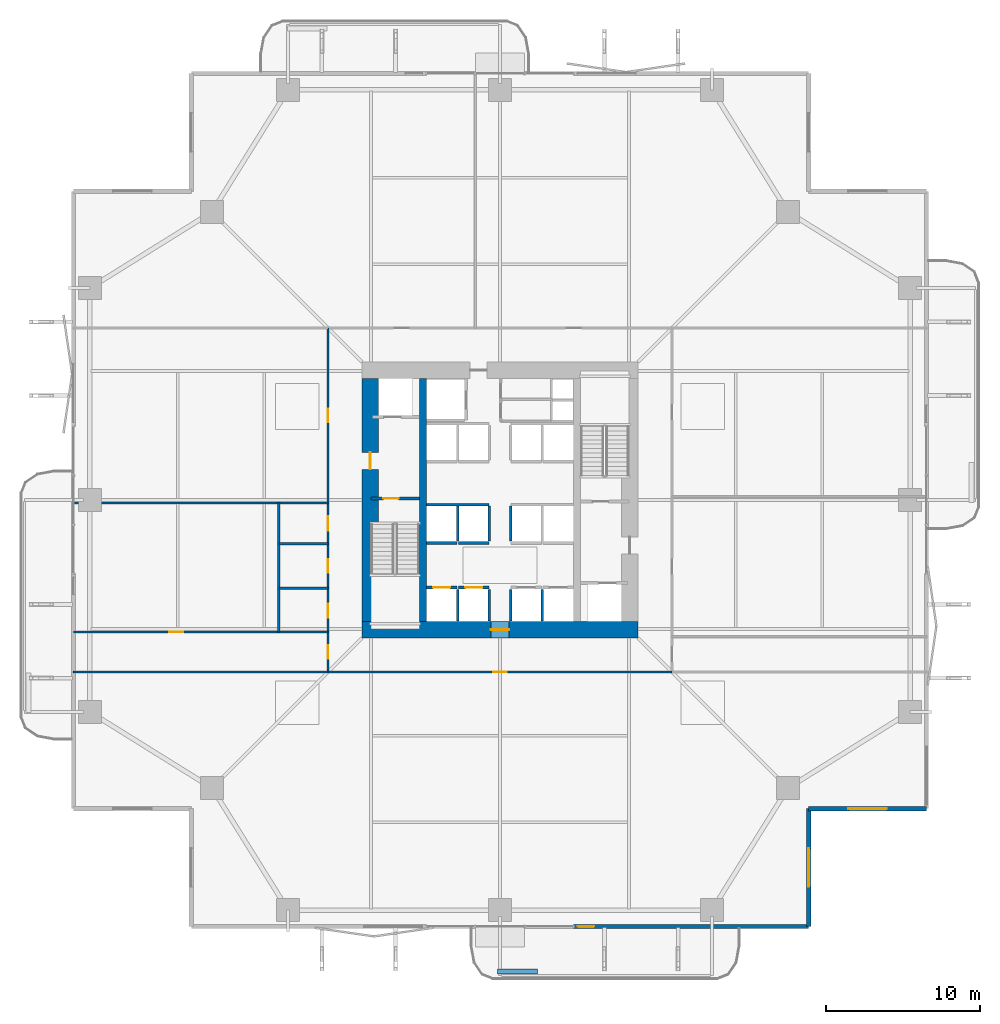
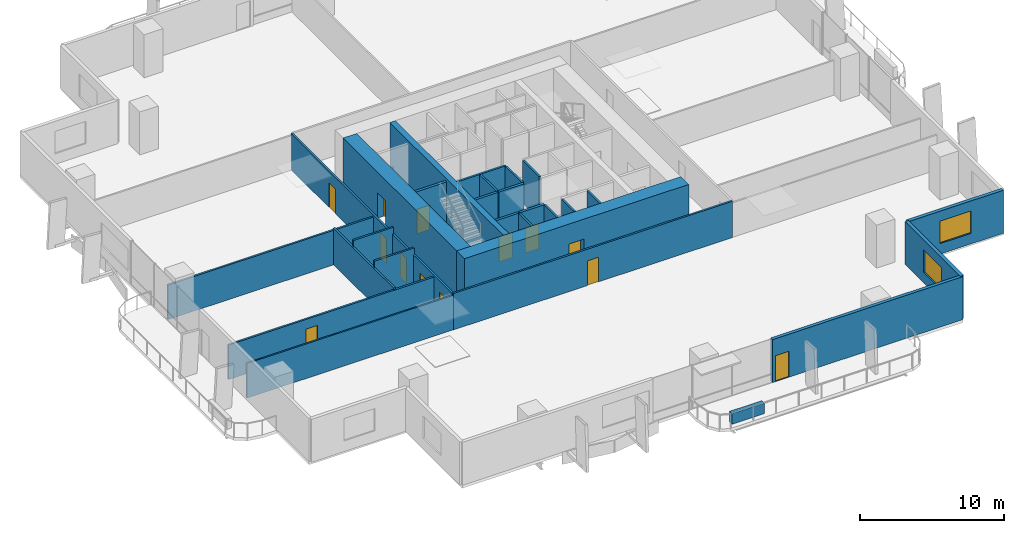
# One storey, part 17 of 23: 28 walls, 13 doors, 2 windows, 15 openings.
"""IFC4 building model written with IfcOpenShell, lengths in metres."""

from ifc_helpers import new_model, si_unit, direction, frame, frame_2d, origin, place, context, subcontext, project, spatial, rectangle, extrude, material, layer, layer_set, type_object, element, fill, save


model = new_model("IFC4")

# Units and contexts
model_context = context("Model", 3, precision=1e-05, world=origin(), true_north=direction((0.0, 1.0)))
body_context = subcontext(model_context, "Body", "Model", "MODEL_VIEW")
ifc_project = project(units=[si_unit("LENGTHUNIT", "METRE"), si_unit("AREAUNIT", "SQUARE_METRE"), si_unit("VOLUMEUNIT", "CUBIC_METRE"), si_unit("PLANEANGLEUNIT", "RADIAN"), si_unit("MASSUNIT", "GRAM", prefix="KILO")], contexts=[model_context])

# Site, building, storey
site_placement = place(None, origin())
site = spatial("IfcSite", under=ifc_project, at=site_placement, CompositionType="ELEMENT")
building_placement = place(site_placement, origin())
building = spatial("IfcBuilding", under=site, at=building_placement, Name="Belovzor Exchange Tower", CompositionType="ELEMENT")
storey_placement = place(building_placement, frame((0.0, 0.0, 57.300048828125)))
storey = spatial("IfcBuildingStorey", under=building, at=storey_placement, Name="L13", CompositionType="ELEMENT", Elevation=57.300048828125)

# Walls
ifc_material_1 = material(Name="Acoustic Plasterboard on Galvanised Studs", Category="gypsum")
ifc_layer_1 = layer(ifc_material_1, 0.1201171875)
ifc_layer_set_1 = layer_set([ifc_layer_1], Name="Acoustic Plasterboard on Galvanised Studs")
wall_type_1 = type_object("IfcWallType", Name="Acoustic Double-Stud Partition Wall 120", PredefinedType="PARTITIONING", material=ifc_layer_set_1)
wall_1_placement = place(storey_placement, frame((1.030029296875, 17.60009765625, 0.0), z_axis=(0.0, 0.0, 1.0), x_axis=(1.0, 0.0, 0.0)))
element("IfcWall", 1, at=wall_1_placement, inside=storey, type_object=wall_type_1, Name="W-P120 Partition Wall W-L13-END-SW", PredefinedType="PARTITIONING", context=body_context, shape_type="SweptSolid", body=[
    extrude(rectangle(XDim=16.570068359375, YDim=0.1201171875, at=frame_2d((8.28515625, 0.0))), origin(), (0.0, 0.0, 1.0), 2.93505859375),
])
ifc_material_2 = material(Name="Fire-Rated Gypsum Block and Mineral Wool", Category="gypsum")
ifc_layer_2 = layer(ifc_material_2, 0.14990234375)
ifc_layer_set_2 = layer_set([ifc_layer_2], Name="Fire-Rated Gypsum Block and Mineral Wool")
wall_type_2 = type_object("IfcWallType", Name="Fire-Rated Gypsum Block Corridor Wall 150", PredefinedType="PARTITIONING", material=ifc_layer_set_2)
wall_2_placement = place(storey_placement, frame((14.39990234375, 20.199951171875, 0.0), z_axis=(0.0, 0.0, 1.0), x_axis=(0.0, 1.0, 0.0)))
element("IfcWall", 2, at=wall_2_placement, inside=storey, type_object=wall_type_2, Name="W-P150 Partition Wall W-L13-WCW", PredefinedType="PARTITIONING", context=body_context, shape_type="SweptSolid", body=[
    extrude(rectangle(XDim=8.400146484375, YDim=0.14990234375, at=frame_2d((4.2001953125, 0.0))), origin(), (0.0, 0.0, 1.0), 3.0849609375),
])

# Wall, opening, door
wall_3_placement = place(storey_placement, frame((1.030029296875, 20.199951171875, 0.0), z_axis=(0.0, 0.0, 1.0), x_axis=(1.0, 0.0, 0.0)))
wall_3 = element("IfcWall", 3, at=wall_3_placement, inside=storey, type_object=wall_type_2, Name="W-P150 Partition Wall W-L13-WCS", PredefinedType="PARTITIONING", context=body_context, shape_type="SweptSolid", body=[
    extrude(rectangle(XDim=16.570068359375, YDim=0.14990234375, at=frame_2d((8.28515625, 0.0))), origin(), (0.0, 0.0, 1.0), 2.93505859375),
])
opening_1_placement = place(wall_3_placement, frame((6.235107421875, 0.0, 0.0)))
opening_1 = element("IfcOpeningElement", 4, at=opening_1_placement, cuts=wall_3, Name="Opening D-INT-090", PredefinedType="OPENING", context=body_context, shape_type="SweptSolid", body=[
    extrude(rectangle(XDim=0.89990234375, YDim=2.10009765625, at=frame_2d((0.449951171875, 1.050048828125))), frame((0.0, 0.0849609375, 0.0), z_axis=(0.0, -1.0, 0.0), x_axis=(1.0, 0.0, 0.0)), (0.0, 0.0, 1.0), 0.169921875),
])
ifc_material_3 = material(Name="Veneered Hardwood Acoustic Leaf", Category="wood")
door_type_1 = type_object("IfcDoorType", Name="Trading Suite Acoustic Single Door 900x2100", OperationType="NOTDEFINED", PredefinedType="DOOR", material=ifc_material_3)
door_1_placement = place(opening_1_placement, origin())
door_1 = element("IfcDoor", 5, at=door_1_placement, inside=storey, type_object=door_type_1, Name="D-INT-090 Trading Suite Acoustic Single Door 900x2100", OperationType="SINGLE_SWING_LEFT", OverallHeight=2.10009765625, OverallWidth=0.89990234375, PredefinedType="DOOR", context=body_context, shape_type="SweptSolid", body=[
    extrude(rectangle(XDim=0.89990234375, YDim=2.10009765625, at=frame_2d((0.449951171875, 1.050048828125))), frame((0.0, 0.02490234375, 0.0), z_axis=(0.0, -1.0, 0.0), x_axis=(1.0, 0.0, 0.0)), (0.0, 0.0, 1.0), 0.050048828125),
])
fill(opening_1, door_1)

# Walls
wall_4_placement = place(storey_placement, frame((1.030029296875, 28.60009765625, 0.0), z_axis=(0.0, 0.0, 1.0), x_axis=(1.0, 0.0, 0.0)))
element("IfcWall", 6, at=wall_4_placement, inside=storey, type_object=wall_type_2, Name="W-P150 Partition Wall W-L13-WCN", PredefinedType="PARTITIONING", context=body_context, shape_type="SweptSolid", body=[
    extrude(rectangle(XDim=16.570068359375, YDim=0.14990234375, at=frame_2d((8.28515625, 0.0))), origin(), (0.0, 0.0, 1.0), 2.93505859375),
])
for number, where, z_axis, x_axis, name in (
    (7, (14.39990234375, 23.050048828125, 0.0), (0.0, 0.0, 1.0), (1.0, 0.0, 0.0), "W-P150 Partition Wall W-L13-WCD1"),
    (8, (14.39990234375, 25.949951171875, 0.0), (0.0, 0.0, 1.0), (1.0, 0.0, 0.0), "W-P150 Partition Wall W-L13-WCD2"),
):
    element("IfcWall", number, at=place(storey_placement, frame(where, z_axis=z_axis, x_axis=x_axis)), inside=storey, type_object=wall_type_2, Name=name, PredefinedType="PARTITIONING", context=body_context, shape_type="SweptSolid", body=[
        extrude(rectangle(XDim=3.2001953125, YDim=0.14990234375, at=frame_2d((1.60009765625, 0.0))), origin(), (0.0, 0.0, 1.0), 3.64990234375),
    ])

# Wall, opening, door
wall_5_placement = place(storey_placement, frame((17.60009765625, 17.60009765625, 0.0), z_axis=(0.0, 0.0, 1.0), x_axis=(1.0, 0.0, 0.0)))
wall_5 = element("IfcWall", 9, at=wall_5_placement, inside=storey, type_object=wall_type_2, Name="W-P150 Partition Wall W-L13-CS", PredefinedType="PARTITIONING", context=body_context, shape_type="SweptSolid", body=[
    extrude(rectangle(XDim=22.39990234375, YDim=0.14990234375, at=frame_2d((11.199951171875, 0.0))), origin(), (0.0, 0.0, 1.0), 3.0849609375),
])
opening_2_placement = place(wall_5_placement, frame((10.75, 0.0, 0.0)))
opening_2 = element("IfcOpeningElement", 10, at=opening_2_placement, cuts=wall_5, Name="Opening D-INT-090", PredefinedType="OPENING", context=body_context, shape_type="SweptSolid", body=[
    extrude(rectangle(XDim=0.89990234375, YDim=2.10009765625, at=frame_2d((0.449951171875, 1.050048828125))), frame((0.0, 0.0849609375, 0.0), z_axis=(0.0, -1.0, 0.0), x_axis=(1.0, 0.0, 0.0)), (0.0, 0.0, 1.0), 0.169921875),
])
door_2_placement = place(opening_2_placement, origin())
door_2 = element("IfcDoor", 11, at=door_2_placement, inside=storey, type_object=door_type_1, Name="D-INT-090 Trading Suite Acoustic Single Door 900x2100", OperationType="SINGLE_SWING_LEFT", OverallHeight=2.10009765625, OverallWidth=0.89990234375, PredefinedType="DOOR", context=body_context, shape_type="SweptSolid", body=[
    extrude(rectangle(XDim=0.89990234375, YDim=2.10009765625, at=frame_2d((0.449951171875, 1.050048828125))), frame((0.0, 0.02490234375, 0.0), z_axis=(0.0, -1.0, 0.0), x_axis=(1.0, 0.0, 0.0)), (0.0, 0.0, 1.0), 0.050048828125),
])
fill(opening_2, door_2)

# Wall, openings, doors
wall_6_placement = place(storey_placement, frame((17.60009765625, 17.60009765625, 0.0), z_axis=(0.0, 0.0, 1.0), x_axis=(0.0, 1.0, 0.0)))
wall_6 = element("IfcWall", 12, at=wall_6_placement, inside=storey, type_object=wall_type_2, Name="W-P150 Partition Wall W-L13-CW", PredefinedType="PARTITIONING", context=body_context, shape_type="SweptSolid", body=[
    extrude(rectangle(XDim=22.39990234375, YDim=0.14990234375, at=frame_2d((11.199951171875, 0.0))), origin(), (0.0, 0.0, 1.0), 3.0849609375),
])
opening_3_placement = place(wall_6_placement, frame((0.85009765625, 0.0, 0.0)))
opening_3 = element("IfcOpeningElement", 13, at=opening_3_placement, cuts=wall_6, Name="Opening D-INT-090", PredefinedType="OPENING", context=body_context, shape_type="SweptSolid", body=[
    extrude(rectangle(XDim=0.89990234375, YDim=2.10009765625, at=frame_2d((0.449951171875, 1.050048828125))), frame((0.0, 0.0849609375, 0.0), z_axis=(0.0, -1.0, 0.0), x_axis=(1.0, 0.0, 0.0)), (0.0, 0.0, 1.0), 0.169921875),
])
opening_4_placement = place(wall_6_placement, frame((3.550048828125, 0.0, 0.0)))
opening_4 = element("IfcOpeningElement", 14, at=opening_4_placement, cuts=wall_6, Name="Opening D-FD60-090", PredefinedType="OPENING", context=body_context, shape_type="SweptSolid", body=[
    extrude(rectangle(XDim=0.89990234375, YDim=2.10009765625, at=frame_2d((0.449951171875, 1.050048828125))), frame((0.0, 0.0849609375, 0.0), z_axis=(0.0, -1.0, 0.0), x_axis=(1.0, 0.0, 0.0)), (0.0, 0.0, 1.0), 0.169921875),
])
opening_5_placement = place(wall_6_placement, frame((6.449951171875, 0.0, 0.0)))
opening_5 = element("IfcOpeningElement", 15, at=opening_5_placement, cuts=wall_6, Name="Opening D-FD60-090", PredefinedType="OPENING", context=body_context, shape_type="SweptSolid", body=[
    extrude(rectangle(XDim=0.89990234375, YDim=2.10009765625, at=frame_2d((0.449951171875, 1.050048828125))), frame((0.0, 0.0849609375, 0.0), z_axis=(0.0, -1.0, 0.0), x_axis=(1.0, 0.0, 0.0)), (0.0, 0.0, 1.0), 0.169921875),
])
opening_6_placement = place(wall_6_placement, frame((9.199951171875, 0.0, 0.0)))
opening_6 = element("IfcOpeningElement", 16, at=opening_6_placement, cuts=wall_6, Name="Opening D-FD60-095", PredefinedType="OPENING", context=body_context, shape_type="SweptSolid", body=[
    extrude(rectangle(XDim=0.949951171875, YDim=2.10009765625, at=frame_2d((0.47509765625, 1.050048828125))), frame((0.0, 0.0849609375, 0.0), z_axis=(0.0, -1.0, 0.0), x_axis=(1.0, 0.0, 0.0)), (0.0, 0.0, 1.0), 0.169921875),
])
opening_7_placement = place(wall_6_placement, frame((16.25, 0.0, 0.0)))
opening_7 = element("IfcOpeningElement", 17, at=opening_7_placement, cuts=wall_6, Name="Opening D-INT-090", PredefinedType="OPENING", context=body_context, shape_type="SweptSolid", body=[
    extrude(rectangle(XDim=0.89990234375, YDim=2.10009765625, at=frame_2d((0.449951171875, 1.050048828125))), frame((0.0, 0.0849609375, 0.0), z_axis=(0.0, -1.0, 0.0), x_axis=(1.0, 0.0, 0.0)), (0.0, 0.0, 1.0), 0.169921875),
])
ifc_material_4 = material(Name="Moisture-Resistant Timber Fire Leaf", Category="wood")
door_type_2 = type_object("IfcDoorType", Name="Accessible Restroom Wide Fire Door 950x2100", OperationType="NOTDEFINED", PredefinedType="DOOR", material=ifc_material_4)
door_3_placement = place(opening_6_placement, origin())
door_3 = element("IfcDoor", 18, at=door_3_placement, inside=storey, type_object=door_type_2, Name="D-FD60-095 Accessible Restroom Wide Fire Door 950x2100", OperationType="SINGLE_SWING_LEFT", OverallHeight=2.10009765625, OverallWidth=0.949951171875, PredefinedType="DOOR", context=body_context, shape_type="SweptSolid", body=[
    extrude(rectangle(XDim=0.949951171875, YDim=2.10009765625, at=frame_2d((0.47509765625, 1.050048828125))), frame((0.0, 0.02490234375, 0.0), z_axis=(0.0, -1.0, 0.0), x_axis=(1.0, 0.0, 0.0)), (0.0, 0.0, 1.0), 0.050048828125),
])
fill(opening_6, door_3)
ifc_material_5 = material(Name="Acoustic Timber Fire Leaf", Category="wood")
door_type_3 = type_object("IfcDoorType", Name="Core Service & Restroom Fire Door 900x2100", OperationType="NOTDEFINED", PredefinedType="DOOR", material=ifc_material_5)
door_4_placement = place(opening_4_placement, origin())
door_4 = element("IfcDoor", 19, at=door_4_placement, inside=storey, type_object=door_type_3, Name="D-FD60-090 Core Service & Restroom Fire Door 900x2100", OperationType="SINGLE_SWING_LEFT", OverallHeight=2.10009765625, OverallWidth=0.89990234375, PredefinedType="DOOR", context=body_context, shape_type="SweptSolid", body=[
    extrude(rectangle(XDim=0.89990234375, YDim=2.10009765625, at=frame_2d((0.449951171875, 1.050048828125))), frame((0.0, 0.02490234375, 0.0), z_axis=(0.0, -1.0, 0.0), x_axis=(1.0, 0.0, 0.0)), (0.0, 0.0, 1.0), 0.050048828125),
])
fill(opening_4, door_4)
door_5_placement = place(opening_5_placement, origin())
door_5 = element("IfcDoor", 20, at=door_5_placement, inside=storey, type_object=door_type_3, Name="D-FD60-090 Core Service & Restroom Fire Door 900x2100", OperationType="SINGLE_SWING_RIGHT", OverallHeight=2.10009765625, OverallWidth=0.89990234375, PredefinedType="DOOR", context=body_context, shape_type="SweptSolid", body=[
    extrude(rectangle(XDim=0.89990234375, YDim=2.10009765625, at=frame_2d((0.449951171875, 1.050048828125))), frame((0.0, 0.02490234375, 0.0), z_axis=(0.0, -1.0, 0.0), x_axis=(1.0, 0.0, 0.0)), (0.0, 0.0, 1.0), 0.050048828125),
])
fill(opening_5, door_5)
door_6_placement = place(opening_3_placement, origin())
door_6 = element("IfcDoor", 21, at=door_6_placement, inside=storey, type_object=door_type_1, Name="D-INT-090 Trading Suite Acoustic Single Door 900x2100", OperationType="SINGLE_SWING_LEFT", OverallHeight=2.10009765625, OverallWidth=0.89990234375, PredefinedType="DOOR", context=body_context, shape_type="SweptSolid", body=[
    extrude(rectangle(XDim=0.89990234375, YDim=2.10009765625, at=frame_2d((0.449951171875, 1.050048828125))), frame((0.0, 0.02490234375, 0.0), z_axis=(0.0, -1.0, 0.0), x_axis=(1.0, 0.0, 0.0)), (0.0, 0.0, 1.0), 0.050048828125),
])
fill(opening_3, door_6)
door_7_placement = place(opening_7_placement, origin())
door_7 = element("IfcDoor", 22, at=door_7_placement, inside=storey, type_object=door_type_1, Name="D-INT-090 Trading Suite Acoustic Single Door 900x2100", OperationType="SINGLE_SWING_RIGHT", OverallHeight=2.10009765625, OverallWidth=0.89990234375, PredefinedType="DOOR", context=body_context, shape_type="SweptSolid", body=[
    extrude(rectangle(XDim=0.89990234375, YDim=2.10009765625, at=frame_2d((0.449951171875, 1.050048828125))), frame((0.0, 0.02490234375, 0.0), z_axis=(0.0, -1.0, 0.0), x_axis=(1.0, 0.0, 0.0)), (0.0, 0.0, 1.0), 0.050048828125),
])
fill(opening_7, door_7)

# Wall, opening, window
ifc_material_6 = material(Name="Precast concrete C40/50", Category="concrete")
ifc_layer_3 = layer(ifc_material_6, 0.280029296875)
ifc_layer_set_3 = layer_set([ifc_layer_3], Name="Precast concrete C40/50")
wall_type_3 = type_object("IfcWallType", Name="Precast Concrete Notched Corner Frame Wall 280", PredefinedType="SOLIDWALL", material=ifc_layer_set_3)
wall_7_placement = place(storey_placement, frame((56.570068359375, 8.699951171875, 0.0), z_axis=(0.0, 0.0, 1.0), x_axis=(-1.0, 0.0, 0.0)))
wall_7 = element("IfcWall", 23, at=wall_7_placement, inside=storey, type_object=wall_type_3, Name="W-CRN280 Precast Concrete Notched Corner Frame Wall 280 L13", PredefinedType="SOLIDWALL", context=body_context, shape_type="SweptSolid", body=[
    extrude(rectangle(XDim=7.670166015625, YDim=0.280029296875, at=frame_2d((3.8349609375, 0.0))), origin(), (0.0, 0.0, 1.0), 3.64990234375),
])
opening_8_placement = place(wall_7_placement, frame((2.5849609375, 0.0, 0.89990234375)))
opening_8 = element("IfcOpeningElement", 24, at=opening_8_placement, cuts=wall_7, Name="Opening WN-CRN250", PredefinedType="OPENING", context=body_context, shape_type="SweptSolid", body=[
    extrude(rectangle(XDim=2.5, YDim=1.89990234375, at=frame_2d((1.25, 0.949951171875))), frame((0.0, 0.14990234375, 0.0), z_axis=(0.0, -1.0, 0.0), x_axis=(1.0, 0.0, 0.0)), (0.0, 0.0, 1.0), 0.300048828125),
])
ifc_material_7 = material(Name="Thermally Broken Aluminium and Triple Glazing", Category="aluminium")
window_type = type_object("IfcWindowType", Name="Streamline Moderne Corner Wrap Ribbon Window 2500x1900", PartitioningType="SINGLE_PANEL", PredefinedType="WINDOW", material=ifc_material_7)
window_1_placement = place(opening_8_placement, origin())
window_1 = element("IfcWindow", 25, at=window_1_placement, inside=storey, type_object=window_type, Name="WN-CRN250 Streamline Moderne Corner Wrap Ribbon Window 2500x1900", OverallHeight=1.89990234375, OverallWidth=2.5, PartitioningType="SINGLE_PANEL", PredefinedType="WINDOW", context=body_context, shape_type="SweptSolid", body=[
    extrude(rectangle(XDim=2.5, YDim=1.89990234375, at=frame_2d((1.25, 0.949951171875))), frame((0.0, 0.030029296875, 0.0), z_axis=(0.0, -1.0, 0.0), x_axis=(1.0, 0.0, 0.0)), (0.0, 0.0, 1.0), 0.06005859375),
])
fill(opening_8, window_1)

wall_8_placement = place(storey_placement, frame((48.89990234375, 8.699951171875, 0.0), z_axis=(0.0, 0.0, 1.0), x_axis=(0.0, -1.0, 0.0)))
wall_8 = element("IfcWall", 26, at=wall_8_placement, inside=storey, type_object=wall_type_3, Name="W-CRN280 Precast Concrete Notched Corner Frame Wall 280 L13", PredefinedType="SOLIDWALL", context=body_context, shape_type="SweptSolid", body=[
    extrude(rectangle(XDim=7.669921875, YDim=0.280029296875, at=frame_2d((3.8349609375, 0.0))), origin(), (0.0, 0.0, 1.0), 3.64990234375),
])
opening_9_placement = place(wall_8_placement, frame((2.5849609375, 0.0, 0.89990234375)))
opening_9 = element("IfcOpeningElement", 27, at=opening_9_placement, cuts=wall_8, Name="Opening WN-CRN250", PredefinedType="OPENING", context=body_context, shape_type="SweptSolid", body=[
    extrude(rectangle(XDim=2.5, YDim=1.89990234375, at=frame_2d((1.25, 0.949951171875))), frame((0.0, 0.14990234375, 0.0), z_axis=(0.0, -1.0, 0.0), x_axis=(1.0, 0.0, 0.0)), (0.0, 0.0, 1.0), 0.300048828125),
])
window_2_placement = place(opening_9_placement, origin())
window_2 = element("IfcWindow", 28, at=window_2_placement, inside=storey, type_object=window_type, Name="WN-CRN250 Streamline Moderne Corner Wrap Ribbon Window 2500x1900", OverallHeight=1.89990234375, OverallWidth=2.5, PartitioningType="SINGLE_PANEL", PredefinedType="WINDOW", context=body_context, shape_type="SweptSolid", body=[
    extrude(rectangle(XDim=2.5, YDim=1.89990234375, at=frame_2d((1.25, 0.949951171875))), frame((0.0, 0.030029296875, 0.0), z_axis=(0.0, -1.0, 0.0), x_axis=(1.0, 0.0, 0.0)), (0.0, 0.0, 1.0), 0.06005859375),
])
fill(opening_9, window_2)

# Wall, opening, door
ifc_material_8 = material(Name="Precast concrete C40/50", Category="concrete")
ifc_layer_4 = layer(ifc_material_8, 0.260009765625)
ifc_layer_set_4 = layer_set([ifc_layer_4], Name="Precast concrete C40/50")
wall_type_4 = type_object("IfcWallType", Name="Precast Concrete Perimeter Loggia Frame Wall 260", PredefinedType="SOLIDWALL", material=ifc_layer_set_4)
wall_9_placement = place(storey_placement, frame((48.89990234375, 1.030029296875, 0.0), z_axis=(0.0, 0.0, 1.0), x_axis=(-1.0, 0.0, 0.0)))
wall_9 = element("IfcWall", 29, at=wall_9_placement, inside=storey, type_object=wall_type_4, Name="W-EXT260 Precast Concrete Perimeter Loggia Frame Wall 260 L13", PredefinedType="SOLIDWALL", context=body_context, shape_type="SweptSolid", body=[
    extrude(rectangle(XDim=15.2998046875, YDim=0.260009765625, at=frame_2d((7.64990234375, 0.0))), origin(), (0.0, 0.0, 1.0), 3.64990234375),
])
opening_10_placement = place(wall_9_placement, frame((13.949951171875, 0.0, 0.0)))
opening_10 = element("IfcOpeningElement", 30, at=opening_10_placement, cuts=wall_9, Name="Opening D-BAL110", PredefinedType="OPENING", context=body_context, shape_type="SweptSolid", body=[
    extrude(rectangle(XDim=1.10009765625, YDim=2.199951171875, at=frame_2d((0.550048828125, 1.10009765625))), frame((0.0, 0.139892578125, 0.0), z_axis=(0.0, -1.0, 0.0), x_axis=(1.0, 0.0, 0.0)), (0.0, 0.0, 1.0), 0.280029296875),
])
ifc_material_9 = material(Name="Thermally Broken Anodised Aluminium and Laminated Glass", Category="aluminium")
door_type_4 = type_object("IfcDoorType", Name="Planted Loggia Terrace Glazed Door 1100x2200", OperationType="SINGLE_SWING_LEFT", PredefinedType="DOOR", material=ifc_material_9)
door_8_placement = place(opening_10_placement, origin())
door_8 = element("IfcDoor", 31, at=door_8_placement, inside=storey, type_object=door_type_4, Name="D-BAL110 Balcony Terrace Door L13 S", OperationType="SINGLE_SWING_LEFT", OverallHeight=2.199951171875, OverallWidth=1.10009765625, PredefinedType="DOOR", context=body_context, shape_type="SweptSolid", body=[
    extrude(rectangle(XDim=1.10009765625, YDim=2.199951171875, at=frame_2d((0.550048828125, 1.10009765625))), frame((0.0, 0.02490234375, 0.0), z_axis=(0.0, -1.0, 0.0), x_axis=(1.0, 0.0, 0.0)), (0.0, 0.0, 1.0), 0.050048828125),
])
fill(opening_10, door_8)

# Walls
ifc_material_10 = material(Name="Precast concrete C40/50", Category="concrete")
ifc_layer_5 = layer(ifc_material_10, 0.35009765625)
ifc_layer_set_5 = layer_set([ifc_layer_5], Name="Precast concrete C40/50")
wall_type_5 = type_object("IfcWallType", Name="Precast Concrete Structural Tree Planter Trough 350", PredefinedType="PARAPET", material=ifc_layer_set_5)
wall_10_placement = place(storey_placement, frame((28.64990234375, -1.89990234375, 0.0), z_axis=(0.0, 0.0, 1.0), x_axis=(1.0, 0.0, 0.0)))
element("IfcWall", 32, at=wall_10_placement, inside=storey, type_object=wall_type_5, Name="PT-350 Precast Concrete Structural Tree Planter Trough 350 L13", PredefinedType="PARAPET", context=body_context, shape_type="SweptSolid", body=[
    extrude(rectangle(XDim=2.60009765625, YDim=0.35009765625, at=frame_2d((1.300048828125, 0.0))), origin(), (0.0, 0.0, 1.0), 0.89990234375),
])
ifc_material_11 = material(Name="Concrete C50/60", Category="concrete")
ifc_layer_6 = layer(ifc_material_11, 0.449951171875)
ifc_layer_set_6 = layer_set([ifc_layer_6], Name="Concrete C50/60")
wall_type_6 = type_object("IfcWallType", Name="Reinforced Concrete Core Internal Web Wall 450", PredefinedType="SHEAR", material=ifc_layer_set_6)
wall_11_placement = place(storey_placement, frame((23.77490234375, 20.89990234375, 0.0), z_axis=(0.0, 0.0, 1.0), x_axis=(0.0, 1.0, 0.0)))
element("IfcWall", 33, at=wall_11_placement, inside=storey, type_object=wall_type_6, Name="CW-W045 Core Internal Web Wall L13 WL", PredefinedType="SHEAR", context=body_context, shape_type="SweptSolid", body=[
    extrude(rectangle(XDim=15.800048828125, YDim=0.449951171875, at=frame_2d((7.89990234375, 0.0))), origin(), (0.0, 0.0, 1.0), 3.89990234375),
])
ifc_material_12 = material(Name="Concrete C50/60", Category="concrete")
ifc_layer_7 = layer(ifc_material_12, 0.14990234375)
ifc_layer_set_7 = layer_set([ifc_layer_7], Name="Concrete C50/60")
wall_type_7 = type_object("IfcWallType", Name="Reinforced Concrete Core Riser Shear Wall 150", PredefinedType="SHEAR", material=ifc_layer_set_7)
for number, where, z_axis, x_axis, name in (
    (34, (26.050048828125, 20.919921875, 0.0), (0.0, 0.0, 1.0), (0.0, 1.0, 0.0), "W-C150S Core Shaft Wall W-SHD-L13-PLL-1"),
    (35, (28.10009765625, 20.919921875, 0.0), (0.0, 0.0, 1.0), (0.0, 1.0, 0.0), "W-C150S Core Shaft Wall W-SHD-L13-PLL-2"),
    (36, (29.5, 20.919921875, 0.0), (0.0, 0.0, 1.0), (0.0, 1.0, 0.0), "W-C150S Core Shaft Wall W-SHD-L13-PLL-3"),
    (37, (31.550048828125, 20.919921875, 0.0), (0.0, 0.0, 1.0), (0.0, 1.0, 0.0), "W-C150S Core Shaft Wall W-SHD-L13-PLL-4"),
):
    element("IfcWall", number, at=place(storey_placement, frame(where, z_axis=z_axis, x_axis=x_axis)), inside=storey, type_object=wall_type_7, Name=name, PredefinedType="SHEAR", context=body_context, shape_type="SweptSolid", body=[
        extrude(rectangle(XDim=2.06005859375, YDim=0.14990234375, at=frame_2d((1.030029296875, 0.0))), origin(), (0.0, 0.0, 1.0), 3.64990234375),
    ])
wall_12_placement = place(storey_placement, frame((24.02001953125, 28.5, 0.0), z_axis=(0.0, 0.0, 1.0), x_axis=(1.0, 0.0, 0.0)))
element("IfcWall", 38, at=wall_12_placement, inside=storey, type_object=wall_type_7, Name="W-C150S Core Shaft Wall W-SHB-L13-PLM-NW", PredefinedType="SHEAR", context=body_context, shape_type="SweptSolid", body=[
    extrude(rectangle(XDim=4.080078125, YDim=0.14990234375, at=frame_2d((2.0400390625, 0.0))), origin(), (0.0, 0.0, 1.0), 3.64990234375),
])
for number, where, z_axis, x_axis, name in (
    (39, (26.050048828125, 26.1201171875, 0.0), (0.0, 0.0, 1.0), (0.0, 1.0, 0.0), "W-C150S Core Shaft Wall W-SHD-L13-PLM-1"),
    (40, (28.10009765625, 26.1201171875, 0.0), (0.0, 0.0, 1.0), (0.0, 1.0, 0.0), "W-C150S Core Shaft Wall W-SHD-L13-PLM-2"),
    (41, (29.5, 26.1201171875, 0.0), (0.0, 0.0, 1.0), (0.0, 1.0, 0.0), "W-C150S Core Shaft Wall W-SHD-L13-PLM-3"),
):
    element("IfcWall", number, at=place(storey_placement, frame(where, z_axis=z_axis, x_axis=x_axis)), inside=storey, type_object=wall_type_7, Name=name, PredefinedType="SHEAR", context=body_context, shape_type="SweptSolid", body=[
        extrude(rectangle(XDim=2.27978515625, YDim=0.14990234375, at=frame_2d((1.139892578125, 0.0))), origin(), (0.0, 0.0, 1.0), 3.64990234375),
    ])

# Wall, opening, door
ifc_material_13 = material(Name="Concrete C50/60", Category="concrete")
ifc_layer_8 = layer(ifc_material_13, 0.199951171875)
ifc_layer_set_8 = layer_set([ifc_layer_8], Name="Concrete C50/60")
wall_type_8 = type_object("IfcWallType", Name="Reinforced Concrete Core Shaft Shear Wall 200", PredefinedType="SHEAR", material=ifc_layer_set_8)
wall_13_placement = place(storey_placement, frame((20.39990234375, 28.89990234375, 0.0), z_axis=(0.0, 0.0, 1.0), x_axis=(1.0, 0.0, 0.0)))
wall_13 = element("IfcWall", 42, at=wall_13_placement, inside=storey, type_object=wall_type_8, Name="W-C200S Core Shaft Wall W-CORE-L13-FFLW1", PredefinedType="SHEAR", context=body_context, shape_type="SweptSolid", body=[
    extrude(rectangle(XDim=3.150146484375, YDim=0.199951171875, at=frame_2d((1.5751953125, 0.0))), origin(), (0.0, 0.0, 1.0), 3.64990234375),
])
opening_11_placement = place(wall_13_placement, frame((0.800048828125, 0.0, 0.0)))
opening_11 = element("IfcOpeningElement", 43, at=opening_11_placement, cuts=wall_13, Name="Opening D-FD90-100", PredefinedType="OPENING", context=body_context, shape_type="SweptSolid", body=[
    extrude(rectangle(XDim=1.0, YDim=2.10009765625, at=frame_2d((0.5, 1.050048828125))), frame((0.0, 0.10986328125, 0.0), z_axis=(0.0, -1.0, 0.0), x_axis=(1.0, 0.0, 0.0)), (0.0, 0.0, 1.0), 0.219970703125),
])
ifc_material_14 = material(Name="Fire-Rated Galvanised Steel Leaf", Category="steel")
door_type_5 = type_object("IfcDoorType", Name="Protected Stairwell Single Fire Door 1000x2100", OperationType="NOTDEFINED", PredefinedType="DOOR", material=ifc_material_14)
door_9_placement = place(opening_11_placement, origin())
door_9 = element("IfcDoor", 44, at=door_9_placement, inside=storey, type_object=door_type_5, Name="D-FD90-100 Protected Stairwell Single Fire Door 1000x2100", OperationType="SINGLE_SWING_RIGHT", OverallHeight=2.10009765625, OverallWidth=1.0, PredefinedType="DOOR", context=body_context, shape_type="SweptSolid", body=[
    extrude(rectangle(XDim=1.0, YDim=2.10009765625, at=frame_2d((0.5, 1.050048828125))), frame((0.0, 0.02490234375, 0.0), z_axis=(0.0, -1.0, 0.0), x_axis=(1.0, 0.0, 0.0)), (0.0, 0.0, 1.0), 0.050048828125),
])
fill(opening_11, door_9)

wall_14_placement = place(storey_placement, frame((24.0, 23.10009765625, 0.0), z_axis=(0.0, 0.0, 1.0), x_axis=(1.0, 0.0, 0.0)))
wall_14 = element("IfcWall", 45, at=wall_14_placement, inside=storey, type_object=wall_type_8, Name="W-C200S Core Shaft Wall W-SH-L13-PL-L1", PredefinedType="SHEAR", context=body_context, shape_type="SweptSolid", body=[
    extrude(rectangle(XDim=2.0, YDim=0.199951171875, at=frame_2d((1.0, 0.0))), origin(), (0.0, 0.0, 1.0), 3.64990234375),
])
opening_12_placement = place(wall_14_placement, frame((0.449951171875, 0.0, 0.0)))
opening_12 = element("IfcOpeningElement", 46, at=opening_12_placement, cuts=wall_14, Name="Opening LD-110", PredefinedType="OPENING", context=body_context, shape_type="SweptSolid", body=[
    extrude(rectangle(XDim=1.10009765625, YDim=2.14990234375, at=frame_2d((0.550048828125, 1.074951171875))), frame((0.0, 0.10986328125, 0.0), z_axis=(0.0, -1.0, 0.0), x_axis=(1.0, 0.0, 0.0)), (0.0, 0.0, 1.0), 0.219970703125),
])
ifc_material_15 = material(Name="Stainless Steel Grade 304", Category="steel")
door_type_6 = type_object("IfcDoorType", Name="Automated Stainless Steel Lift Landing Door 1100x2150", OperationType="SLIDING_TO_RIGHT", PredefinedType="DOOR", material=ifc_material_15)
door_10_placement = place(opening_12_placement, origin())
door_10 = element("IfcDoor", 47, at=door_10_placement, inside=storey, type_object=door_type_6, Name="LD-110 Automated Stainless Steel Lift Landing Door 1100x2150", OperationType="SLIDING_TO_RIGHT", OverallHeight=2.14990234375, OverallWidth=1.10009765625, PredefinedType="DOOR", context=body_context, shape_type="SweptSolid", body=[
    extrude(rectangle(XDim=1.10009765625, YDim=2.14990234375, at=frame_2d((0.550048828125, 1.074951171875))), frame((0.0, 0.02490234375, 0.0), z_axis=(0.0, -1.0, 0.0), x_axis=(1.0, 0.0, 0.0)), (0.0, 0.0, 1.0), 0.050048828125),
])
fill(opening_12, door_10)

wall_15_placement = place(storey_placement, frame((26.10009765625, 23.10009765625, 0.0), z_axis=(0.0, 0.0, 1.0), x_axis=(1.0, 0.0, 0.0)))
wall_15 = element("IfcWall", 48, at=wall_15_placement, inside=storey, type_object=wall_type_8, Name="W-C200S Core Shaft Wall W-SH-L13-PL-L2", PredefinedType="SHEAR", context=body_context, shape_type="SweptSolid", body=[
    extrude(rectangle(XDim=2.0, YDim=0.199951171875, at=frame_2d((1.0, 0.0))), origin(), (0.0, 0.0, 1.0), 3.64990234375),
])
opening_13_placement = place(wall_15_placement, frame((0.449951171875, 0.0, 0.0)))
opening_13 = element("IfcOpeningElement", 49, at=opening_13_placement, cuts=wall_15, Name="Opening LD-110", PredefinedType="OPENING", context=body_context, shape_type="SweptSolid", body=[
    extrude(rectangle(XDim=1.10009765625, YDim=2.14990234375, at=frame_2d((0.550048828125, 1.074951171875))), frame((0.0, 0.10986328125, 0.0), z_axis=(0.0, -1.0, 0.0), x_axis=(1.0, 0.0, 0.0)), (0.0, 0.0, 1.0), 0.219970703125),
])
door_11_placement = place(opening_13_placement, origin())
door_11 = element("IfcDoor", 50, at=door_11_placement, inside=storey, type_object=door_type_6, Name="LD-110 Automated Stainless Steel Lift Landing Door 1100x2150", OperationType="SLIDING_TO_RIGHT", OverallHeight=2.14990234375, OverallWidth=1.10009765625, PredefinedType="DOOR", context=body_context, shape_type="SweptSolid", body=[
    extrude(rectangle(XDim=1.10009765625, YDim=2.14990234375, at=frame_2d((0.550048828125, 1.074951171875))), frame((0.0, 0.02490234375, 0.0), z_axis=(0.0, -1.0, 0.0), x_axis=(1.0, 0.0, 0.0)), (0.0, 0.0, 1.0), 0.050048828125),
])
fill(opening_13, door_11)

# Walls
for number, where, z_axis, x_axis, name in (
    (51, (24.0, 26.0, 0.0), (0.0, 0.0, 1.0), (1.0, 0.0, 0.0), "W-C200S Core Shaft Wall W-SH-L13-PL-M1"),
    (52, (26.10009765625, 26.0, 0.0), (0.0, 0.0, 1.0), (1.0, 0.0, 0.0), "W-C200S Core Shaft Wall W-SH-L13-PL-M2"),
):
    element("IfcWall", number, at=place(storey_placement, frame(where, z_axis=z_axis, x_axis=x_axis)), inside=storey, type_object=wall_type_8, Name=name, PredefinedType="SHEAR", context=body_context, shape_type="SweptSolid", body=[
        extrude(rectangle(XDim=2.0, YDim=0.199951171875, at=frame_2d((1.0, 0.0))), origin(), (0.0, 0.0, 1.0), 3.64990234375),
    ])

# Wall, opening, door
ifc_material_16 = material(Name="Concrete C60/75", Category="concrete")
ifc_layer_9 = layer(ifc_material_16, 1.10009765625)
ifc_layer_set_9 = layer_set([ifc_layer_9], Name="Concrete C60/75")
wall_type_9 = type_object("IfcWallType", Name="Reinforced Concrete Core Shear Wall 1100", PredefinedType="SHEAR", material=ifc_layer_set_9)
wall_16_placement = place(storey_placement, frame((19.800048828125, 20.35009765625, 0.0), z_axis=(0.0, 0.0, 1.0), x_axis=(1.0, 0.0, 0.0)))
wall_16 = element("IfcWall", 53, at=wall_16_placement, inside=storey, type_object=wall_type_9, Name="CW-S110 Core Shear Wall L13 S", PredefinedType="SHEAR", context=body_context, shape_type="SweptSolid", body=[
    extrude(rectangle(XDim=18.0, YDim=1.10009765625, at=frame_2d((9.0, 0.0))), origin(), (0.0, 0.0, 1.0), 3.89990234375),
])
opening_14_placement = place(wall_16_placement, frame((8.39990234375, 0.0, 0.0)))
opening_14 = element("IfcOpeningElement", 54, at=opening_14_placement, cuts=wall_16, Name="Opening D-FD90-120", PredefinedType="OPENING", context=body_context, shape_type="SweptSolid", body=[
    extrude(rectangle(XDim=1.199951171875, YDim=2.199951171875, at=frame_2d((0.60009765625, 1.10009765625))), frame((0.0, 0.56005859375, 0.0), z_axis=(0.0, -1.0, 0.0), x_axis=(1.0, 0.0, 0.0)), (0.0, 0.0, 1.0), 1.1201171875),
])
ifc_material_17 = material(Name="Fire-Rated Galvanised Steel Leaf", Category="steel")
door_type_7 = type_object("IfcDoorType", Name="Heavy Plant & Foyer Fire Door 1200x2200", OperationType="NOTDEFINED", PredefinedType="DOOR", material=ifc_material_17)
door_12_placement = place(opening_14_placement, origin())
door_12 = element("IfcDoor", 55, at=door_12_placement, inside=storey, type_object=door_type_7, Name="D-FD90-120 Heavy Plant & Foyer Fire Door 1200x2200", OperationType="SINGLE_SWING_LEFT", OverallHeight=2.199951171875, OverallWidth=1.199951171875, PredefinedType="DOOR", context=body_context, shape_type="SweptSolid", body=[
    extrude(rectangle(XDim=1.199951171875, YDim=2.199951171875, at=frame_2d((0.60009765625, 1.10009765625))), frame((0.0, 0.02490234375, 0.0), z_axis=(0.0, -1.0, 0.0), x_axis=(1.0, 0.0, 0.0)), (0.0, 0.0, 1.0), 0.050048828125),
])
fill(opening_14, door_12)

wall_17_placement = place(storey_placement, frame((20.35009765625, 20.89990234375, 0.0), z_axis=(0.0, 0.0, 1.0), x_axis=(0.0, 1.0, 0.0)))
wall_17 = element("IfcWall", 56, at=wall_17_placement, inside=storey, type_object=wall_type_9, Name="CW-S110 Core Shear Wall L13 W", PredefinedType="SHEAR", context=body_context, shape_type="SweptSolid", body=[
    extrude(rectangle(XDim=15.800048828125, YDim=1.10009765625, at=frame_2d((7.89990234375, 0.0))), origin(), (0.0, 0.0, 1.0), 3.89990234375),
])
opening_15_placement = place(wall_17_placement, frame((9.89990234375, 0.0, 0.0)))
opening_15 = element("IfcOpeningElement", 57, at=opening_15_placement, cuts=wall_17, Name="Opening D-FD90-110", PredefinedType="OPENING", context=body_context, shape_type="SweptSolid", body=[
    extrude(rectangle(XDim=1.10009765625, YDim=2.14990234375, at=frame_2d((0.550048828125, 1.074951171875))), frame((0.0, 0.56005859375, 0.0), z_axis=(0.0, -1.0, 0.0), x_axis=(1.0, 0.0, 0.0)), (0.0, 0.0, 1.0), 1.1201171875),
])
ifc_material_18 = material(Name="Fire-Rated Galvanised Steel Leaf", Category="steel")
door_type_8 = type_object("IfcDoorType", Name="Protected Escape Vestibule Fire Door 1100x2150", OperationType="NOTDEFINED", PredefinedType="DOOR", material=ifc_material_18)
door_13_placement = place(opening_15_placement, origin())
door_13 = element("IfcDoor", 58, at=door_13_placement, inside=storey, type_object=door_type_8, Name="D-FD90-110 Protected Escape Vestibule Fire Door 1100x2150", OperationType="SINGLE_SWING_LEFT", OverallHeight=2.14990234375, OverallWidth=1.10009765625, PredefinedType="DOOR", context=body_context, shape_type="SweptSolid", body=[
    extrude(rectangle(XDim=1.10009765625, YDim=2.14990234375, at=frame_2d((0.550048828125, 1.074951171875))), frame((0.0, 0.02490234375, 0.0), z_axis=(0.0, -1.0, 0.0), x_axis=(1.0, 0.0, 0.0)), (0.0, 0.0, 1.0), 0.050048828125),
])
fill(opening_15, door_13)

save(model, "model.ifc")
